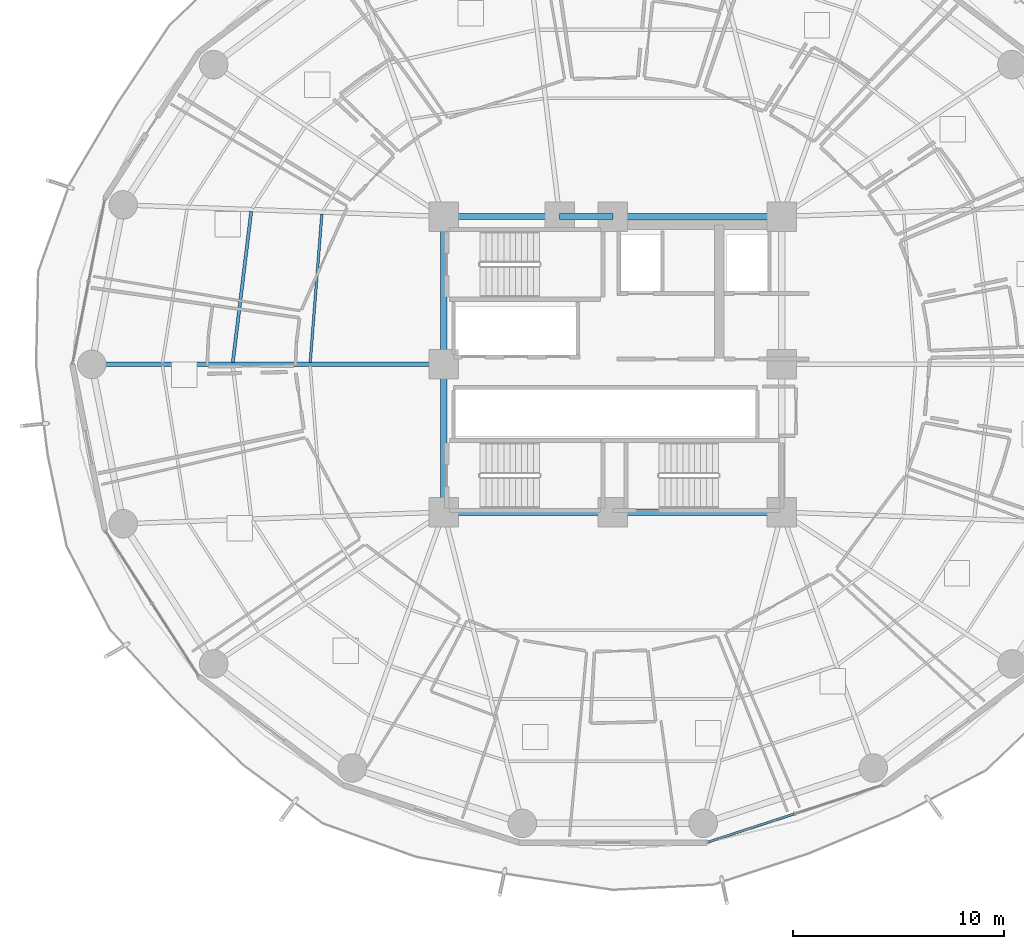
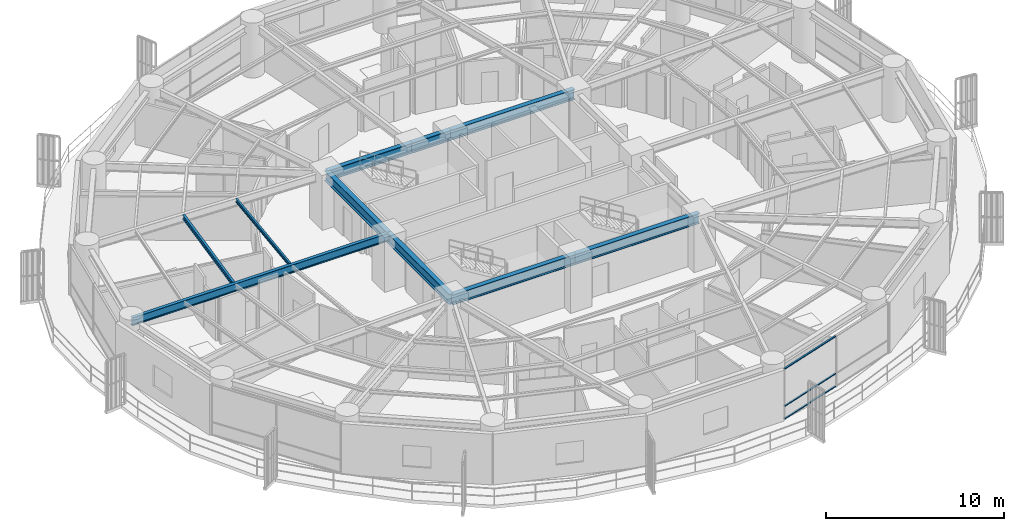
# One storey, part 9 of 35: 10 beams, 3 members, 1 element without a shape of its own.
"""IFC4 building model written with IfcOpenShell, lengths in metres."""

from ifc_helpers import new_model, si_unit, direction, frame, origin, origin_2d, place, context, subcontext, project, spatial, hollow_rectangle, i_section, extrude, material, layer, layer_set, material_profile, profile_set, type_object, element, aggregate, save


model = new_model("IFC4")

# Units and contexts
model_context = context("Model", 3, precision=1e-05, world=origin(), true_north=direction((0.0, 1.0)))
body_context = subcontext(model_context, "Body", "Model", "MODEL_VIEW")
ifc_project = project(units=[si_unit("LENGTHUNIT", "METRE"), si_unit("AREAUNIT", "SQUARE_METRE"), si_unit("VOLUMEUNIT", "CUBIC_METRE"), si_unit("PLANEANGLEUNIT", "RADIAN"), si_unit("MASSUNIT", "GRAM", prefix="KILO")], contexts=[model_context])

# Site, building, storey
site_placement = place(None, origin())
site = spatial("IfcSite", under=ifc_project, at=site_placement, CompositionType="ELEMENT")
building_placement = place(site_placement, origin())
building = spatial("IfcBuilding", under=site, at=building_placement, Name="Kelanora Arch Commons", CompositionType="ELEMENT")
storey_placement = place(building_placement, frame((0.0, 0.0, 87.60009765625)))
storey = spatial("IfcBuildingStorey", under=building, at=storey_placement, Name="L22", CompositionType="ELEMENT", Elevation=87.60009765625)

# Beams
ifc_material_1 = material(Name="Steel S355", Category="steel")
ifc_material_profile_1 = material_profile(ifc_material_1, i_section(OverallWidth=0.300048828125, OverallDepth=0.699951171875, WebThickness=0.01708984375, FlangeThickness=0.031982421875, FilletRadius=0.027099609375, at=origin_2d()), Name="HEB700")
ifc_profile_set_1 = profile_set([ifc_material_profile_1], Name="Steel S355")
beam_type_1 = type_object("IfcBeamType", Name="BM-CORE-HDR", PredefinedType="BEAM", material=ifc_profile_set_1)
for number, where, z_axis, x_axis, name in (
    (1, (66.0, 51.0, 3.139892578125), (1.0, 0.0, 0.0), (0.0, 1.0, 0.0), "Core Header Beam 01 L22"),
    (2, (74.0, 51.0, 3.139892578125), (1.0, 0.0, 0.0), (0.0, 1.0, 0.0), "Core Header Beam 02 L22"),
    (3, (82.0, 65.0, 3.139892578125), (-1.0, 0.0, 0.0), (0.0, -1.0, 0.0), "Core Header Beam 05 L22"),
):
    element("IfcBeam", number, at=place(storey_placement, frame(where, z_axis=z_axis, x_axis=x_axis)), inside=storey, type_object=beam_type_1, Name=name, PredefinedType="BEAM", context=body_context, shape_type="SweptSolid", body=[
        extrude(i_section(OverallWidth=0.300048828125, OverallDepth=0.699951171875, WebThickness=0.01708984375, FlangeThickness=0.031982421875, FilletRadius=0.027099609375, at=origin_2d()), origin(), (0.0, 0.0, 1.0), 8.0),
    ])
beam_1_placement = place(storey_placement, frame((74.0, 65.0, 3.139892578125), z_axis=(-1.0, 0.0, 0.0), x_axis=(0.0, -1.0, 0.0)))
element("IfcBeam", 4, at=beam_1_placement, inside=storey, type_object=beam_type_1, Name="Core Header Beam 06 L22", PredefinedType="BEAM", context=body_context, shape_type="SweptSolid", body=[
    extrude(i_section(OverallWidth=0.300048828125, OverallDepth=0.699951171875, WebThickness=0.01708984375, FlangeThickness=0.031982421875, FilletRadius=0.027099609375, at=origin_2d()), origin(), (0.0, 0.0, 1.0), 2.52001953125),
])
beam_2_placement = place(storey_placement, frame((71.47998046875, 65.0, 3.139892578125), z_axis=(-1.0, 0.0, 0.0), x_axis=(0.0, -1.0, 0.0)))
element("IfcBeam", 5, at=beam_2_placement, inside=storey, type_object=beam_type_1, Name="Core Header Beam 07 L22", PredefinedType="BEAM", context=body_context, shape_type="SweptSolid", body=[
    extrude(i_section(OverallWidth=0.300048828125, OverallDepth=0.699951171875, WebThickness=0.01708984375, FlangeThickness=0.031982421875, FilletRadius=0.027099609375, at=origin_2d()), origin(), (0.0, 0.0, 1.0), 5.47998046875),
])
for number, where, z_axis, x_axis, name in (
    (6, (66.0, 65.0, 3.139892578125), (0.0, -1.0, 0.0), (1.0, 0.0, 0.0), "Core Header Beam 08 L22"),
    (7, (66.0, 58.0, 3.139892578125), (0.0, -1.0, 0.0), (1.0, 0.0, 0.0), "Core Header Beam 09 L22"),
):
    element("IfcBeam", number, at=place(storey_placement, frame(where, z_axis=z_axis, x_axis=x_axis)), inside=storey, type_object=beam_type_1, Name=name, PredefinedType="BEAM", context=body_context, shape_type="SweptSolid", body=[
        extrude(i_section(OverallWidth=0.300048828125, OverallDepth=0.699951171875, WebThickness=0.01708984375, FlangeThickness=0.031982421875, FilletRadius=0.027099609375, at=origin_2d()), origin(), (0.0, 0.0, 1.0), 7.0),
    ])
ifc_material_profile_2 = material_profile(ifc_material_1, i_section(OverallWidth=0.14990234375, OverallDepth=0.300048828125, WebThickness=0.007080078125, FlangeThickness=0.0107421875, FilletRadius=0.014892578125, at=origin_2d()), Name="IPE300")
ifc_profile_set_2 = profile_set([ifc_material_profile_2], Name="Steel S355")
beam_type_2 = type_object("IfcBeamType", Name="BM-JST-01", PredefinedType="JOIST", material=ifc_profile_set_2)
beam_3_placement = place(storey_placement, frame((56.874755859375, 65.24658203125, 3.33984375), z_axis=(-0.120935645266, -0.992660349618, 0.0), x_axis=(0.992660349618, -0.120935645266, 0.0)))
element("IfcBeam", 8, at=beam_3_placement, inside=storey, type_object=beam_type_2, Name="Secondary Chord Joist BJB-16 L22", PredefinedType="JOIST", context=body_context, shape_type="SweptSolid", body=[
    extrude(i_section(OverallWidth=0.14990234375, OverallDepth=0.300048828125, WebThickness=0.007080078125, FlangeThickness=0.0107421875, FilletRadius=0.014892578125, at=origin_2d()), origin(), (0.0, 0.0, 1.0), 7.215087890625),
])
ifc_material_profile_3 = material_profile(ifc_material_1, i_section(OverallWidth=0.1201171875, OverallDepth=0.239990234375, WebThickness=0.006103515625, FlangeThickness=0.009765625, FilletRadius=0.014892578125, at=origin_2d()), Name="IPE240")
ifc_profile_set_3 = profile_set([ifc_material_profile_3], Name="Steel S355")
beam_type_3 = type_object("IfcBeamType", Name="BM-JST-02", PredefinedType="JOIST", material=ifc_profile_set_3)
beam_4_placement = place(storey_placement, frame((60.220458984375, 65.125, 3.369873046875), z_axis=(-0.078200677502, -0.996937637989, 0.0), x_axis=(0.996937637989, -0.078200677502, 0.0)))
element("IfcBeam", 9, at=beam_4_placement, inside=storey, type_object=beam_type_3, Name="Secondary Chord Joist BJA-16 L22", PredefinedType="JOIST", context=body_context, shape_type="SweptSolid", body=[
    extrude(i_section(OverallWidth=0.1201171875, OverallDepth=0.239990234375, WebThickness=0.006103515625, FlangeThickness=0.009765625, FilletRadius=0.014892578125, at=origin_2d()), origin(), (0.0, 0.0, 1.0), 7.06201171875),
])
ifc_material_profile_4 = material_profile(ifc_material_1, i_section(OverallWidth=0.2099609375, OverallDepth=0.550048828125, WebThickness=0.010986328125, FlangeThickness=0.01708984375, FilletRadius=0.02392578125, at=origin_2d()), Name="IPE550")
ifc_profile_set_4 = profile_set([ifc_material_profile_4], Name="Steel S355")
beam_type_4 = type_object("IfcBeamType", Name="BM-RAD-Z2", PredefinedType="BEAM", material=ifc_profile_set_4)
beam_5_placement = place(storey_placement, frame((66.0, 58.0, 3.21484375), z_axis=(-1.0, 0.0, 0.0), x_axis=(0.0, -1.0, 0.0)))
element("IfcBeam", 10, at=beam_5_placement, inside=storey, type_object=beam_type_4, Name="Radial Floor Girder BR-18 L22", PredefinedType="BEAM", context=body_context, shape_type="SweptSolid", body=[
    extrude(i_section(OverallWidth=0.2099609375, OverallDepth=0.550048828125, WebThickness=0.010986328125, FlangeThickness=0.01708984375, FilletRadius=0.02392578125, at=origin_2d()), origin(), (0.0, 0.0, 1.0), 16.679931640625),
])

# Curtain wall, members
ifc_material_2 = material(Name="Terracotta ceramic-fritted low-E glass and aluminium", Category="masonry")
ifc_layer = layer(ifc_material_2, 0.159912109375)
ifc_layer_set = layer_set([ifc_layer], Name="Terracotta ceramic-fritted low-E glass and aluminium")
curtain_wall_type = type_object("IfcCurtainWallType", Name="CW-SYS-01", PredefinedType="NOTDEFINED", material=ifc_layer_set)
curtain_wall_placement = place(storey_placement, origin())
curtain_wall = element("IfcCurtainWall", 11, at=curtain_wall_placement, inside=storey, type_object=curtain_wall_type, Name="Unitised Curtain Wall L22-B14", PredefinedType="NOTDEFINED")
ifc_material_3 = material(Name="Powder-coated aluminium terracotta", Category="masonry")
ifc_material_profile_5 = material_profile(ifc_material_3, hollow_rectangle(XDim=0.1201171875, YDim=0.06005859375, WallThickness=0.0048828125, InnerFilletRadius=0.0048828125, OuterFilletRadius=0.010009765625, at=origin_2d()), Name="CWT120x60")
ifc_profile_set_5 = profile_set([ifc_material_profile_5], Name="Powder-coated aluminium terracotta")
member_type = type_object("IfcMemberType", Name="CWT-STD", PredefinedType="USERDEFINED", material=ifc_profile_set_5)
member_1_placement = place(storey_placement, frame((78.516845703125, 35.372802734375, 0.02978515625), z_axis=(0.950477544745, 0.31079323824, 0.0), x_axis=(-0.31079323824, 0.950477544745, 0.0)))
member_1 = element("IfcMember", 12, at=member_1_placement, type_object=member_type, Name="CW-01 transom 1.1", ObjectType="TRANSOM", PredefinedType="USERDEFINED", context=body_context, shape_type="SweptSolid", body=[
    extrude(hollow_rectangle(XDim=0.1201171875, YDim=0.06005859375, WallThickness=0.0048828125, InnerFilletRadius=0.0048828125, OuterFilletRadius=0.010009765625, at=origin_2d()), origin(), (0.0, 0.0, 1.0), 4.289794921875),
])
member_2_placement = place(storey_placement, frame((78.516845703125, 35.372802734375, 0.89990234375), z_axis=(0.950477544745, 0.31079323824, 0.0), x_axis=(-0.31079323824, 0.950477544745, 0.0)))
member_2 = element("IfcMember", 13, at=member_2_placement, type_object=member_type, Name="CW-01 transom 1.2", ObjectType="TRANSOM", PredefinedType="USERDEFINED", context=body_context, shape_type="SweptSolid", body=[
    extrude(hollow_rectangle(XDim=0.1201171875, YDim=0.06005859375, WallThickness=0.0048828125, InnerFilletRadius=0.0048828125, OuterFilletRadius=0.010009765625, at=origin_2d()), origin(), (0.0, 0.0, 1.0), 4.289794921875),
])
member_3_placement = place(storey_placement, frame((78.516845703125, 35.372802734375, 3.44482421875), z_axis=(0.950477544745, 0.31079323824, 0.0), x_axis=(-0.31079323824, 0.950477544745, 0.0)))
member_3 = element("IfcMember", 14, at=member_3_placement, type_object=member_type, Name="CW-01 transom 1.3", ObjectType="TRANSOM", PredefinedType="USERDEFINED", context=body_context, shape_type="SweptSolid", body=[
    extrude(hollow_rectangle(XDim=0.1201171875, YDim=0.06005859375, WallThickness=0.0048828125, InnerFilletRadius=0.0048828125, OuterFilletRadius=0.010009765625, at=origin_2d()), origin(), (0.0, 0.0, 1.0), 4.289794921875),
])
aggregate(curtain_wall, [member_1, member_2, member_3])

save(model, "model.ifc")
